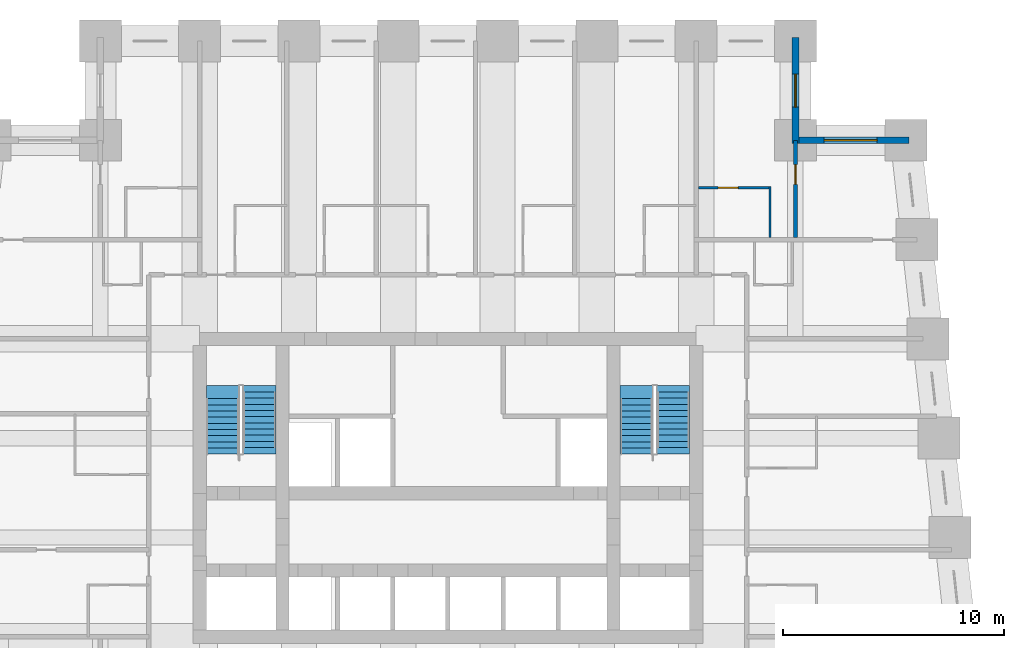
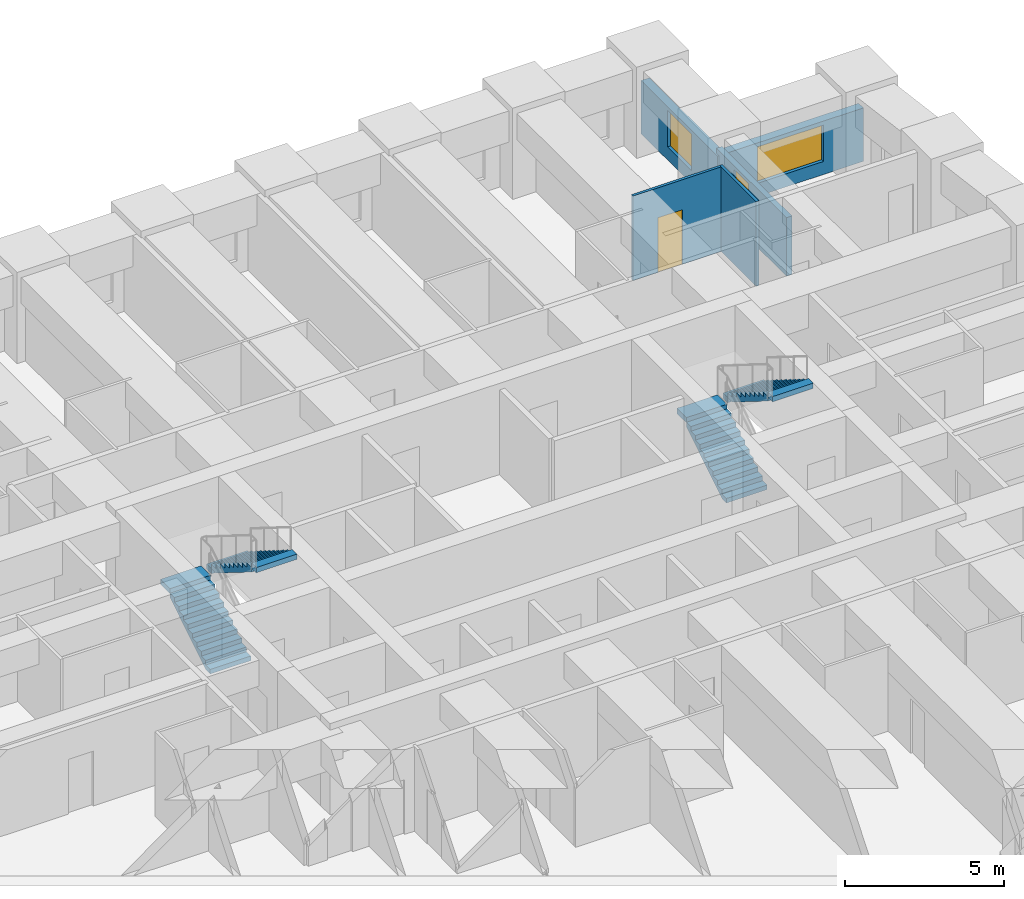
# One storey, part 7 of 8: 5 walls, 4 stair flights, 2 doors, 2 windows, 4 openings, 2 elements without a shape of their own.
"""IFC4 building model written with IfcOpenShell, lengths in metres."""

import ifcopenshell
import ifcopenshell.guid

model = None  # the IFC model being written
_history = None  # IfcOwnerHistory: only IFC2X3 demands one
_inside = {}  # id of a spatial element -> (the spatial element, [elements in it])
_under = {}  # id of a project, library or spatial element -> (it, [spatial elements below it])
_declared = {}  # id of a project -> (the project, [libraries it declares])
_typed = {}  # id of a type object -> (the type object, [elements of that type])
_made_of = {}  # id of a material, layer set ... -> (it, [elements and type objects made of it])


def new_model(schema):
    """Start an empty IFC model of exactly this schema.

    Asked for "IFC4X3", IfcOpenShell would pick the latest addendum, in which some entities
    have other attributes; the version numbers below select the first issue.
    IFC2X3 requires an IfcOwnerHistory on every rooted entity: one is made here for all.
    """
    global model, _history
    if schema == "IFC4X3":
        model = ifcopenshell.file(schema_version=(4, 3, 0, 0))
    else:
        model = ifcopenshell.file(schema=schema)
    _inside.clear()
    _under.clear()
    _declared.clear()
    _typed.clear()
    _made_of.clear()
    _history = None
    if model.schema == "IFC2X3":
        org = make("IfcOrganization", Name="unknown")
        user = make(
            "IfcPersonAndOrganization",
            ThePerson=make("IfcPerson", FamilyName="unknown"),
            TheOrganization=org,
        )
        app = make(
            "IfcApplication",
            ApplicationDeveloper=org,
            Version="unknown",
            ApplicationFullName="unknown",
            ApplicationIdentifier="unknown",
        )
        _history = make(
            "IfcOwnerHistory",
            OwningUser=user,
            OwningApplication=app,
            ChangeAction="ADDED",
            CreationDate=0,
        )
    return model


def make(cls, **values):
    """One entity of the class cls with the attributes given. An attribute that is None is left unset."""
    return model.create_entity(
        cls, **{name: value for name, value in values.items() if value is not None}
    )


def rooted(cls, **values):
    """An entity with a GlobalId (a new one), such as an element, a storey or a relation."""
    return make(cls, GlobalId=ifcopenshell.guid.new(), OwnerHistory=_history, **values)


def si_unit(unit_type, name, prefix=None):
    """IfcSIUnit, for example si_unit("LENGTHUNIT", "METRE", prefix="MILLI")."""
    return make("IfcSIUnit", UnitType=unit_type, Prefix=prefix, Name=name)


def assignment(units):
    """IfcUnitAssignment: the units of a project."""
    return None if units is None else make("IfcUnitAssignment", Units=units)


def point(xyz):
    """IfcCartesianPoint."""
    return None if xyz is None else make("IfcCartesianPoint", Coordinates=xyz)


def direction(xyz):
    """IfcDirection."""
    return None if xyz is None else make("IfcDirection", DirectionRatios=xyz)


def frame(location, z_axis=None, x_axis=None):
    """IfcAxis2Placement3D, a coordinate frame: its origin and axes. An axis left out is left unset."""
    return make(
        "IfcAxis2Placement3D",
        Location=point(location),
        Axis=direction(z_axis),
        RefDirection=direction(x_axis),
    )


def frame_2d(location, x_axis=None):
    """IfcAxis2Placement2D, a coordinate frame in the plane: its origin and x axis."""
    return make(
        "IfcAxis2Placement2D", Location=point(location), RefDirection=direction(x_axis)
    )


def origin():
    """The frame at (0, 0, 0) with its axes left unset."""
    return frame((0.0, 0.0, 0.0))


def place(relative_to, where):
    """IfcLocalPlacement: puts the frame where relative to a parent placement (None: the world)."""
    return make(
        "IfcLocalPlacement", PlacementRelTo=relative_to, RelativePlacement=where
    )


def context(
    kind, dimensions, precision=None, world=None, true_north=None, identifier=None
):
    """IfcGeometricRepresentationContext, for example the 3D "Model" context."""
    return make(
        "IfcGeometricRepresentationContext",
        ContextIdentifier=identifier,
        ContextType=kind,
        CoordinateSpaceDimension=dimensions,
        Precision=precision,
        WorldCoordinateSystem=world,
        TrueNorth=true_north,
    )


def subcontext(parent, identifier, kind, view, scale=None):
    """IfcGeometricRepresentationSubContext, for example "Body" below "Model"."""
    return make(
        "IfcGeometricRepresentationSubContext",
        ContextIdentifier=identifier,
        ContextType=kind,
        ParentContext=parent,
        TargetScale=scale,
        TargetView=view,
    )


def project(units=None, contexts=None):
    """IfcProject with its units and contexts."""
    return rooted(
        "IfcProject",
        Name="project",
        RepresentationContexts=contexts,
        UnitsInContext=assignment(units),
    )


def spatial(cls, under=None, at=None, **own):
    """A site, building, storey or space (cls), placed at a placement, below another one or the project."""
    s = rooted(cls, ObjectPlacement=at, **own)
    if under is not None:
        _under.setdefault(under.id(), (under, []))[1].append(s)
    return s


def polyline(points):
    """IfcPolyline through the points."""
    return make("IfcPolyline", Points=[point(p) for p in points])


def profile(cls, at=None, kind="AREA", **sizes):
    """A parametric profile (cls). Its sizes go by their IFC names, for example OverallWidth=200.0."""
    return make(cls, ProfileType=kind, Position=at, **sizes)


def rectangle(**sizes):
    """IfcRectangleProfileDef."""
    return profile("IfcRectangleProfileDef", **sizes)


def outline(outer, holes=None, kind="AREA"):
    """IfcArbitraryClosedProfileDef: a profile drawn as a closed curve; with holes, ...WithVoids."""
    if holes is None:
        return make("IfcArbitraryClosedProfileDef", ProfileType=kind, OuterCurve=outer)
    return make(
        "IfcArbitraryProfileDefWithVoids",
        ProfileType=kind,
        OuterCurve=outer,
        InnerCurves=holes,
    )


def extrude(swept, where, along, depth):
    """IfcExtrudedAreaSolid: the profile swept, set in the frame where, extruded along a direction by depth."""
    return make(
        "IfcExtrudedAreaSolid",
        SweptArea=swept,
        Position=where,
        ExtrudedDirection=direction(along),
        Depth=depth,
    )


def shape(context_of_items, identifier, shape_type, items):
    """IfcShapeRepresentation: the items that make up one representation, for example the "Body"."""
    return make(
        "IfcShapeRepresentation",
        ContextOfItems=context_of_items,
        RepresentationIdentifier=identifier,
        RepresentationType=shape_type,
        Items=items,
    )


def material(Name=None, Category=None):
    """IfcMaterial."""
    return make("IfcMaterial", Name=Name, Category=Category)


def layer(
    of_material, thickness, ventilated=None, Name=None, Category=None, Priority=None
):
    """IfcMaterialLayer: one layer of a wall or slab, of a material (None: an air gap)."""
    return make(
        "IfcMaterialLayer",
        Material=of_material,
        LayerThickness=thickness,
        IsVentilated=ventilated,
        Name=Name,
        Category=Category,
        Priority=Priority,
    )


def layer_set(layers, Name=None):
    """IfcMaterialLayerSet."""
    return make("IfcMaterialLayerSet", MaterialLayers=layers, LayerSetName=Name)


def made_of(thing, what):
    """Note that an element or type object is made of a material, layer set ...; save() writes the relation."""
    if what is not None:
        _made_of.setdefault(what.id(), (what, []))[1].append(thing)
    return thing


def type_object(cls, material=None, **own):
    """A type object (cls), such as IfcWallType, which elements share."""
    return made_of(rooted(cls, **own), material)


def element(
    cls,
    number,
    at=None,
    inside=None,
    cuts=None,
    type_object=None,
    material=None,
    context=None,
    identifier="Body",
    shape_type=None,
    held_by="IfcProductDefinitionShape",
    body=None,
    shapes=None,
    **own,
):
    """One element of the class cls, such as IfcWall. Its Tag is "e" and its number.

    at: its placement. inside: the storey or other place that contains it. cuts: it is an
    opening in that element (IfcRelVoidsElement). A single representation is given by context,
    identifier, shape_type and body (its items); several are given by shapes. held_by: the class
    of the entity that holds the representations. save() writes the other relations.
    """
    e = rooted(cls, Tag="e%d" % number, ObjectPlacement=at, **own)
    if body is not None:
        shapes = [shape(context, identifier, shape_type, body)]
    if shapes is not None:
        e.Representation = make(held_by, Representations=shapes)
    if inside is not None:
        _inside.setdefault(inside.id(), (inside, []))[1].append(e)
    if cuts is not None:
        rooted(
            "IfcRelVoidsElement", RelatingBuildingElement=cuts, RelatedOpeningElement=e
        )
    if type_object is not None:
        _typed.setdefault(type_object.id(), (type_object, []))[1].append(e)
    return made_of(e, material)


def fill(opening, filler):
    """IfcRelFillsElement: the door or window that sits in an opening."""
    return rooted(
        "IfcRelFillsElement",
        RelatingOpeningElement=opening,
        RelatedBuildingElement=filler,
    )


def aggregate(whole, parts):
    """IfcRelAggregates: a whole, such as a stair, and the parts it consists of."""
    return rooted("IfcRelAggregates", RelatingObject=whole, RelatedObjects=parts)


def save(model, path):
    """Write the relations noted so far, then the file.

    IfcRelAggregates (storeys below a building ...), IfcRelContainedInSpatialStructure (elements
    in a storey), IfcRelDefinesByType, IfcRelAssociatesMaterial and IfcRelDeclares: one each for
    every whole, place, type object, material and project.
    """
    for whole, parts in _under.values():
        aggregate(whole, parts)
    for where, things in _inside.values():
        rooted(
            "IfcRelContainedInSpatialStructure",
            RelatedElements=things,
            RelatingStructure=where,
        )
    for kind, things in _typed.values():
        rooted("IfcRelDefinesByType", RelatedObjects=things, RelatingType=kind)
    for what, things in _made_of.values():
        rooted("IfcRelAssociatesMaterial", RelatedObjects=things, RelatingMaterial=what)
    for by, libraries in _declared.values():
        rooted("IfcRelDeclares", RelatingContext=by, RelatedDefinitions=libraries)
    model.write(path)


model = new_model("IFC4")

# Units and contexts
model_context = context("Model", 3, precision=1e-05, world=origin(), true_north=direction((0.0, 1.0)))
body_context = subcontext(model_context, "Body", "Model", "MODEL_VIEW")
ifc_project = project(units=[si_unit("LENGTHUNIT", "METRE"), si_unit("AREAUNIT", "SQUARE_METRE"), si_unit("VOLUMEUNIT", "CUBIC_METRE"), si_unit("PLANEANGLEUNIT", "RADIAN"), si_unit("MASSUNIT", "GRAM", prefix="KILO")], contexts=[model_context])

# Site, building, storey
site_placement = place(None, origin())
site = spatial("IfcSite", under=ifc_project, at=site_placement, CompositionType="ELEMENT")
building_placement = place(site_placement, origin())
building = spatial("IfcBuilding", under=site, at=building_placement, Name="Kilele Tower Hotel", CompositionType="ELEMENT")
storey_placement = place(building_placement, frame((0.0, 0.0, 57.699951171875)))
storey = spatial("IfcBuildingStorey", under=building, at=storey_placement, Name="L13", CompositionType="ELEMENT", Elevation=57.699951171875)

# Wall
ifc_material_1 = material(Name="Moisture-resistant board")
ifc_layer_1 = layer(ifc_material_1, 0.10009765625)
ifc_layer_set_1 = layer_set([ifc_layer_1], Name="Moisture-resistant board")
wall_type_1 = type_object("IfcWallType", Name="Bathroom partition 100", PredefinedType="PLUMBINGWALL", material=ifc_layer_set_1)
wall_1_placement = place(storey_placement, frame((39.35009765625, 31.60009765625, 0.0), z_axis=(0.0, 0.0, 1.0), x_axis=(0.0, 1.0, 0.0)))
element("IfcWall", 1, at=wall_1_placement, inside=storey, type_object=wall_type_1, Name="Bathroom partition 100 L13", PredefinedType="PLUMBINGWALL", context=body_context, shape_type="SweptSolid", body=[
    extrude(rectangle(XDim=2.2998046875, YDim=0.10009765625, at=frame_2d((1.14990234375, 0.0))), origin(), (0.0, 0.0, 1.0), 3.25),
])

# Wall, opening, door
wall_2_placement = place(storey_placement, frame((36.10009765625, 33.85009765625, 0.0), z_axis=(0.0, 0.0, 1.0), x_axis=(1.0, 0.0, 0.0)))
wall_2 = element("IfcWall", 2, at=wall_2_placement, inside=storey, type_object=wall_type_1, Name="Bathroom partition 100 L13", PredefinedType="PLUMBINGWALL", context=body_context, shape_type="SweptSolid", body=[
    extrude(rectangle(XDim=3.2998046875, YDim=0.10009765625, at=frame_2d((1.64990234375, 0.0))), origin(), (0.0, 0.0, 1.0), 3.25),
])
opening_1_placement = place(wall_2_placement, frame((0.89990234375, 0.0, 0.0)))
opening_1 = element("IfcOpeningElement", 3, at=opening_1_placement, cuts=wall_2, Name="Opening D2A", PredefinedType="OPENING", context=body_context, shape_type="SweptSolid", body=[
    extrude(rectangle(XDim=0.89990234375, YDim=2.10009765625, at=frame_2d((0.449951171875, 1.050048828125))), frame((0.0, 0.06005859375, 0.0), z_axis=(0.0, -1.0, 0.0), x_axis=(1.0, 0.0, 0.0)), (0.0, 0.0, 1.0), 0.1201171875),
])
ifc_material_2 = material(Name="Timber door leaf in hardwood frame", Category="wood")
door_type_1 = type_object("IfcDoorType", Name="Bathroom door 900", OperationType="SINGLE_SWING_LEFT", PredefinedType="DOOR", material=ifc_material_2)
door_1_placement = place(opening_1_placement, origin())
door_1 = element("IfcDoor", 4, at=door_1_placement, inside=storey, type_object=door_type_1, Name="Bathroom door 1324B", OperationType="SINGLE_SWING_LEFT", OverallHeight=2.10009765625, OverallWidth=0.89990234375, PredefinedType="DOOR", context=body_context, shape_type="SweptSolid", body=[
    extrude(rectangle(XDim=0.89990234375, YDim=2.10009765625, at=frame_2d((0.449951171875, 1.050048828125))), frame((0.0, 0.02490234375, 0.0), z_axis=(0.0, -1.0, 0.0), x_axis=(1.0, 0.0, 0.0)), (0.0, 0.0, 1.0), 0.050048828125),
])
fill(opening_1, door_1)

ifc_material_3 = material(Name="Blockwork, plastered both sides", Category="masonry")
ifc_layer_2 = layer(ifc_material_3, 0.199951171875)
ifc_layer_set_2 = layer_set([ifc_layer_2], Name="Blockwork, plastered both sides")
wall_type_2 = type_object("IfcWallType", Name="Partition wall 200", PredefinedType="PARTITIONING", material=ifc_layer_set_2)
wall_3_placement = place(storey_placement, frame((40.5, 31.60009765625, 0.0), z_axis=(0.0, 0.0, 1.0), x_axis=(0.0, 1.0, 0.0)))
wall_3 = element("IfcWall", 5, at=wall_3_placement, inside=storey, type_object=wall_type_2, Name="Partition wall 200 L13", PredefinedType="PARTITIONING", context=body_context, shape_type="SweptSolid", body=[
    extrude(rectangle(XDim=4.39990234375, YDim=0.199951171875, at=frame_2d((2.199951171875, 0.0))), origin(), (0.0, 0.0, 1.0), 2.25),
])
opening_2_placement = place(wall_3_placement, frame((2.39990234375, 0.0, 0.0)))
opening_2 = element("IfcOpeningElement", 6, at=opening_2_placement, cuts=wall_3, Name="Opening D3", PredefinedType="OPENING", context=body_context, shape_type="SweptSolid", body=[
    extrude(rectangle(XDim=0.89990234375, YDim=2.10009765625, at=frame_2d((0.449951171875, 1.050048828125))), frame((0.0, 0.10986328125, 0.0), z_axis=(0.0, -1.0, 0.0), x_axis=(1.0, 0.0, 0.0)), (0.0, 0.0, 1.0), 0.219970703125),
])
ifc_material_4 = material(Name="Timber door leaf in hardwood frame", Category="wood")
door_type_2 = type_object("IfcDoorType", Name="Suite internal door 900", OperationType="SINGLE_SWING_LEFT", PredefinedType="DOOR", material=ifc_material_4)
door_2_placement = place(opening_2_placement, origin())
door_2 = element("IfcDoor", 7, at=door_2_placement, inside=storey, type_object=door_type_2, Name="Suite door 1325", OperationType="SINGLE_SWING_RIGHT", OverallHeight=2.10009765625, OverallWidth=0.89990234375, PredefinedType="DOOR", context=body_context, shape_type="SweptSolid", body=[
    extrude(rectangle(XDim=0.89990234375, YDim=2.10009765625, at=frame_2d((0.449951171875, 1.050048828125))), frame((0.0, 0.02490234375, 0.0), z_axis=(0.0, -1.0, 0.0), x_axis=(1.0, 0.0, 0.0)), (0.0, 0.0, 1.0), 0.050048828125),
])
fill(opening_2, door_2)

# Wall, opening, window
ifc_material_5 = material(Name="Concrete C40/50 precast", Category="concrete")
ifc_layer_3 = layer(ifc_material_5, 0.260009765625, Name="Precast backing", Category="LoadBearing")
ifc_material_6 = material(Name="Reconstituted stone finish", Category="masonry")
ifc_layer_4 = layer(ifc_material_6, 0.0400390625, Name="Face mix", Category="Finish")
ifc_layer_set_3 = layer_set([ifc_layer_3, ifc_layer_4], Name="Precast concrete C40/50, reconstituted stone finish")
wall_type_3 = type_object("IfcWallType", Name="Precast stone facade wall 300", PredefinedType="STANDARD", material=ifc_layer_set_3)
wall_4_placement = place(storey_placement, frame((45.64990234375, 36.0, 0.0), z_axis=(0.0, 0.0, 1.0), x_axis=(-1.0, 0.0, 0.0)))
wall_4 = element("IfcWall", 8, at=wall_4_placement, inside=storey, type_object=wall_type_3, Name="Facade wall L13 edge 7", PredefinedType="STANDARD", context=body_context, shape_type="SweptSolid", body=[
    extrude(rectangle(XDim=5.2998046875, YDim=0.300048828125, at=frame_2d((2.64990234375, 0.0))), origin(), (0.0, 0.0, 1.0), 2.050048828125),
])
opening_3_placement = place(wall_4_placement, frame((1.449951171875, 0.0, 0.5)))
opening_3 = element("IfcOpeningElement", 9, at=opening_3_placement, cuts=wall_4, Name="Opening W1", PredefinedType="OPENING", context=body_context, shape_type="SweptSolid", body=[
    extrude(rectangle(XDim=2.39990234375, YDim=1.39990234375, at=frame_2d((1.199951171875, 0.699951171875))), frame((0.0, 0.159912109375, 0.0), z_axis=(0.0, -1.0, 0.0), x_axis=(1.0, 0.0, 0.0)), (0.0, 0.0, 1.0), 0.320068359375),
])
ifc_material_7 = material(Name="Aluminium frame, clear double glazing", Category="aluminium")
window_type_1 = type_object("IfcWindowType", Name="Window W1 2400 x 1400", PartitioningType="SINGLE_PANEL", PredefinedType="WINDOW", material=ifc_material_7)
window_1_placement = place(opening_3_placement, origin())
window_1 = element("IfcWindow", 10, at=window_1_placement, inside=storey, type_object=window_type_1, Name="Window L13", OverallHeight=1.39990234375, OverallWidth=2.39990234375, PartitioningType="SINGLE_PANEL", PredefinedType="WINDOW", context=body_context, shape_type="SweptSolid", body=[
    extrude(rectangle(XDim=2.39990234375, YDim=1.39990234375, at=frame_2d((1.199951171875, 0.699951171875))), frame((0.0, 0.030029296875, 0.0), z_axis=(0.0, -1.0, 0.0), x_axis=(1.0, 0.0, 0.0)), (0.0, 0.0, 1.0), 0.06005859375),
])
fill(opening_3, window_1)

wall_5_placement = place(storey_placement, frame((40.5, 35.85009765625, 0.0), z_axis=(0.0, 0.0, 1.0), x_axis=(0.0, 1.0, 0.0)))
wall_5 = element("IfcWall", 11, at=wall_5_placement, inside=storey, type_object=wall_type_3, Name="Facade wall L13 edge 8", PredefinedType="STANDARD", context=body_context, shape_type="SweptSolid", body=[
    extrude(rectangle(XDim=4.7998046875, YDim=0.300048828125, at=frame_2d((2.39990234375, 0.0))), origin(), (0.0, 0.0, 1.0), 2.050048828125),
])
opening_4_placement = place(wall_5_placement, frame((1.64990234375, 0.0, 0.5)))
opening_4 = element("IfcOpeningElement", 12, at=opening_4_placement, cuts=wall_5, Name="Opening W1", PredefinedType="OPENING", context=body_context, shape_type="SweptSolid", body=[
    extrude(rectangle(XDim=1.5, YDim=1.39990234375, at=frame_2d((0.75, 0.699951171875))), frame((0.0, 0.159912109375, 0.0), z_axis=(0.0, -1.0, 0.0), x_axis=(1.0, 0.0, 0.0)), (0.0, 0.0, 1.0), 0.320068359375),
])
ifc_material_8 = material(Name="Aluminium frame, clear double glazing", Category="aluminium")
window_type_2 = type_object("IfcWindowType", Name="Window W1 1500 x 1400", PartitioningType="SINGLE_PANEL", PredefinedType="WINDOW", material=ifc_material_8)
window_2_placement = place(opening_4_placement, origin())
window_2 = element("IfcWindow", 13, at=window_2_placement, inside=storey, type_object=window_type_2, Name="Window L13", OverallHeight=1.39990234375, OverallWidth=1.5, PartitioningType="SINGLE_PANEL", PredefinedType="WINDOW", context=body_context, shape_type="SweptSolid", body=[
    extrude(rectangle(XDim=1.5, YDim=1.39990234375, at=frame_2d((0.75, 0.699951171875))), frame((0.0, 0.030029296875, 0.0), z_axis=(0.0, -1.0, 0.0), x_axis=(1.0, 0.0, 0.0)), (0.0, 0.0, 1.0), 0.06005859375),
])
fill(opening_4, window_2)

# Stair, stair flights
ifc_material_9 = material(Name="Precast concrete C40/50", Category="concrete")
stair_type = type_object("IfcStairType", Name="Stair 1475 x 3500", PredefinedType="HALF_TURN_STAIR", material=ifc_material_9)
stair_1_placement = place(storey_placement, origin())
stair_1 = element("IfcStair", 14, at=stair_1_placement, inside=storey, type_object=stair_type, Name="Stair 1 L13", PredefinedType="HALF_TURN_STAIR")
ifc_material_10 = material(Name="Precast concrete C40/50", Category="concrete")
stair_flight_type = type_object("IfcStairFlightType", Name="Flight 1475 riser 175.0", PredefinedType="STRAIGHT", material=ifc_material_10)
stair_flight_1_placement = place(storey_placement, frame((14.53759765625, 21.77490234375, 0.0), z_axis=(0.0, 0.0, 1.0), x_axis=(0.0, 1.0, 0.0)))
stair_flight_1 = element("IfcStairFlight", 15, at=stair_flight_1_placement, type_object=stair_flight_type, Name="ST1 flight 1", NumberOfRisers=10, NumberOfTreads=9, PredefinedType="STRAIGHT", RiserHeight=0.175, TreadLength=0.28, context=body_context, shape_type="SweptSolid", body=[
    extrude(outline(polyline([(0.0, 0.0), (0.0, 0.175048828125), (0.280029296875, 0.175048828125), (0.280029296875, 0.35009765625), (0.56005859375, 0.35009765625), (0.56005859375, 0.52490234375), (0.840087890625, 0.52490234375), (0.840087890625, 0.699951171875), (1.1201171875, 0.699951171875), (1.1201171875, 0.875), (1.39990234375, 0.875), (1.39990234375, 1.050048828125), (1.679931640625, 1.050048828125), (1.679931640625, 1.22509765625), (1.9599609375, 1.22509765625), (1.9599609375, 1.39990234375), (2.239990234375, 1.39990234375), (2.239990234375, 1.574951171875), (2.52001953125, 1.574951171875), (2.52001953125, 1.75), (2.52001953125, 1.398193359375), (0.28271484375, 0.0), (0.0, 0.0)])), frame((0.0, 0.737548828125, 0.0), z_axis=(0.0, -1.0, 0.0), x_axis=(1.0, 0.0, 0.0)), (0.0, 0.0, 1.0), 1.47509765625),
    extrude(outline(polyline([(2.52001953125, 0.737548828125), (2.52001953125, -0.7373046875), (3.1201171875, -0.7373046875), (3.1201171875, 0.737548828125), (2.52001953125, 0.737548828125)])), frame((0.0, 0.0, 1.550048828125)), (0.0, 0.0, 1.0), 0.199951171875),
])
stair_flight_2_placement = place(storey_placement, frame((16.21240234375, 24.594970703125, 1.75), z_axis=(0.0, 0.0, 1.0), x_axis=(0.0, -1.0, 0.0)))
stair_flight_2 = element("IfcStairFlight", 16, at=stair_flight_2_placement, type_object=stair_flight_type, Name="ST1 flight 2", NumberOfRisers=10, NumberOfTreads=9, PredefinedType="STRAIGHT", RiserHeight=0.175, TreadLength=0.28, context=body_context, shape_type="SweptSolid", body=[
    extrude(outline(polyline([(0.0, 0.0), (0.0, 0.175048828125), (0.280029296875, 0.175048828125), (0.280029296875, 0.35009765625), (0.56005859375, 0.35009765625), (0.56005859375, 0.52490234375), (0.840087890625, 0.52490234375), (0.840087890625, 0.699951171875), (1.1201171875, 0.699951171875), (1.1201171875, 0.875), (1.39990234375, 0.875), (1.39990234375, 1.050048828125), (1.679931640625, 1.050048828125), (1.679931640625, 1.22509765625), (1.9599609375, 1.22509765625), (1.9599609375, 1.39990234375), (2.239990234375, 1.39990234375), (2.239990234375, 1.574951171875), (2.52001953125, 1.574951171875), (2.52001953125, 1.75), (2.52001953125, 1.398193359375), (0.28271484375, 0.0), (0.0, 0.0)])), frame((0.0, 0.737548828125, 0.0), z_axis=(0.0, -1.0, 0.0), x_axis=(1.0, 0.0, 0.0)), (0.0, 0.0, 1.0), 1.47509765625),
    extrude(outline(polyline([(0.0, -0.7373046875), (0.0, 0.737548828125), (-0.300048828125, 0.737548828125), (-0.300048828125, -0.7373046875), (0.0, -0.7373046875)])), frame((0.0, 0.0, -0.199951171875)), (0.0, 0.0, 1.0), 0.199951171875),
    extrude(outline(polyline([(2.820068359375, -0.7373046875), (2.820068359375, 0.737548828125), (2.52001953125, 0.737548828125), (2.52001953125, -0.7373046875), (2.820068359375, -0.7373046875)])), frame((0.0, 0.0, 1.550048828125)), (0.0, 0.0, 1.0), 0.199951171875),
])
aggregate(stair_1, [stair_flight_1, stair_flight_2])

stair_2_placement = place(storey_placement, origin())
stair_2 = element("IfcStair", 17, at=stair_2_placement, inside=storey, type_object=stair_type, Name="Stair 2 L13", PredefinedType="HALF_TURN_STAIR")
stair_flight_3_placement = place(storey_placement, frame((33.28759765625, 21.77490234375, 0.0), z_axis=(0.0, 0.0, 1.0), x_axis=(0.0, 1.0, 0.0)))
stair_flight_3 = element("IfcStairFlight", 18, at=stair_flight_3_placement, type_object=stair_flight_type, Name="ST2 flight 1", NumberOfRisers=10, NumberOfTreads=9, PredefinedType="STRAIGHT", RiserHeight=0.175, TreadLength=0.28, context=body_context, shape_type="SweptSolid", body=[
    extrude(outline(polyline([(0.0, 0.0), (0.0, 0.175048828125), (0.280029296875, 0.175048828125), (0.280029296875, 0.35009765625), (0.56005859375, 0.35009765625), (0.56005859375, 0.52490234375), (0.840087890625, 0.52490234375), (0.840087890625, 0.699951171875), (1.1201171875, 0.699951171875), (1.1201171875, 0.875), (1.39990234375, 0.875), (1.39990234375, 1.050048828125), (1.679931640625, 1.050048828125), (1.679931640625, 1.22509765625), (1.9599609375, 1.22509765625), (1.9599609375, 1.39990234375), (2.239990234375, 1.39990234375), (2.239990234375, 1.574951171875), (2.52001953125, 1.574951171875), (2.52001953125, 1.75), (2.52001953125, 1.398193359375), (0.28271484375, 0.0), (0.0, 0.0)])), frame((0.0, 0.737548828125, 0.0), z_axis=(0.0, -1.0, 0.0), x_axis=(1.0, 0.0, 0.0)), (0.0, 0.0, 1.0), 1.47509765625),
    extrude(outline(polyline([(2.52001953125, 0.737548828125), (2.52001953125, -0.7373046875), (3.1201171875, -0.7373046875), (3.1201171875, 0.737548828125), (2.52001953125, 0.737548828125)])), frame((0.0, 0.0, 1.550048828125)), (0.0, 0.0, 1.0), 0.199951171875),
])
stair_flight_4_placement = place(storey_placement, frame((34.96240234375, 24.594970703125, 1.75), z_axis=(0.0, 0.0, 1.0), x_axis=(0.0, -1.0, 0.0)))
stair_flight_4 = element("IfcStairFlight", 19, at=stair_flight_4_placement, type_object=stair_flight_type, Name="ST2 flight 2", NumberOfRisers=10, NumberOfTreads=9, PredefinedType="STRAIGHT", RiserHeight=0.175, TreadLength=0.28, context=body_context, shape_type="SweptSolid", body=[
    extrude(outline(polyline([(0.0, 0.0), (0.0, 0.175048828125), (0.280029296875, 0.175048828125), (0.280029296875, 0.35009765625), (0.56005859375, 0.35009765625), (0.56005859375, 0.52490234375), (0.840087890625, 0.52490234375), (0.840087890625, 0.699951171875), (1.1201171875, 0.699951171875), (1.1201171875, 0.875), (1.39990234375, 0.875), (1.39990234375, 1.050048828125), (1.679931640625, 1.050048828125), (1.679931640625, 1.22509765625), (1.9599609375, 1.22509765625), (1.9599609375, 1.39990234375), (2.239990234375, 1.39990234375), (2.239990234375, 1.574951171875), (2.52001953125, 1.574951171875), (2.52001953125, 1.75), (2.52001953125, 1.398193359375), (0.28271484375, 0.0), (0.0, 0.0)])), frame((0.0, 0.737548828125, 0.0), z_axis=(0.0, -1.0, 0.0), x_axis=(1.0, 0.0, 0.0)), (0.0, 0.0, 1.0), 1.47509765625),
    extrude(outline(polyline([(0.0, -0.7373046875), (0.0, 0.737548828125), (-0.300048828125, 0.737548828125), (-0.300048828125, -0.7373046875), (0.0, -0.7373046875)])), frame((0.0, 0.0, -0.199951171875)), (0.0, 0.0, 1.0), 0.199951171875),
    extrude(outline(polyline([(2.820068359375, -0.7373046875), (2.820068359375, 0.737548828125), (2.52001953125, 0.737548828125), (2.52001953125, -0.7373046875), (2.820068359375, -0.7373046875)])), frame((0.0, 0.0, 1.550048828125)), (0.0, 0.0, 1.0), 0.199951171875),
])
aggregate(stair_2, [stair_flight_3, stair_flight_4])

save(model, "model.ifc")
